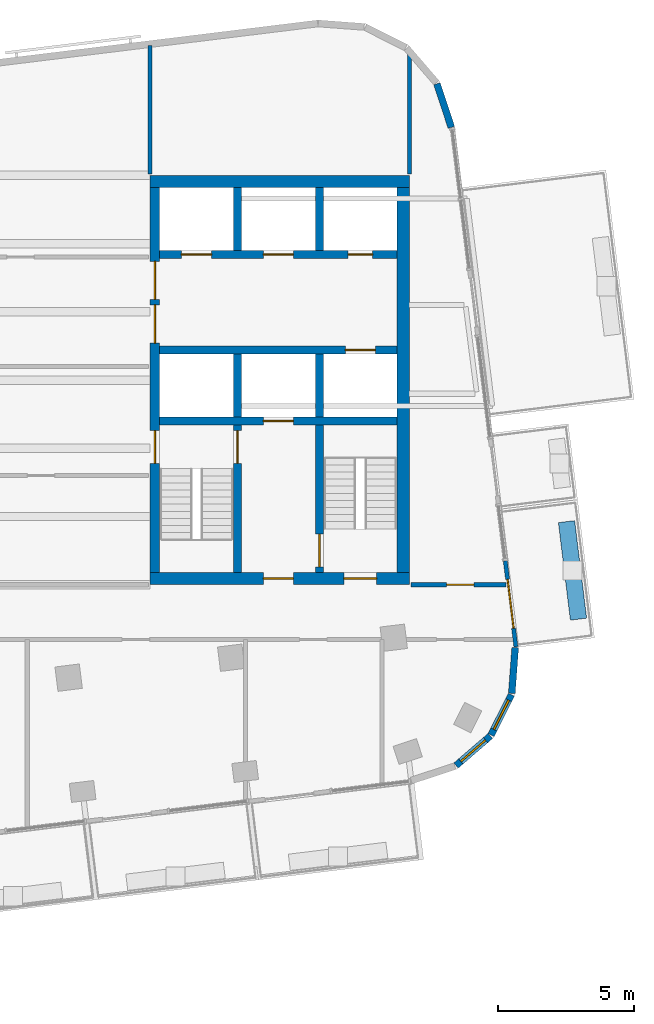
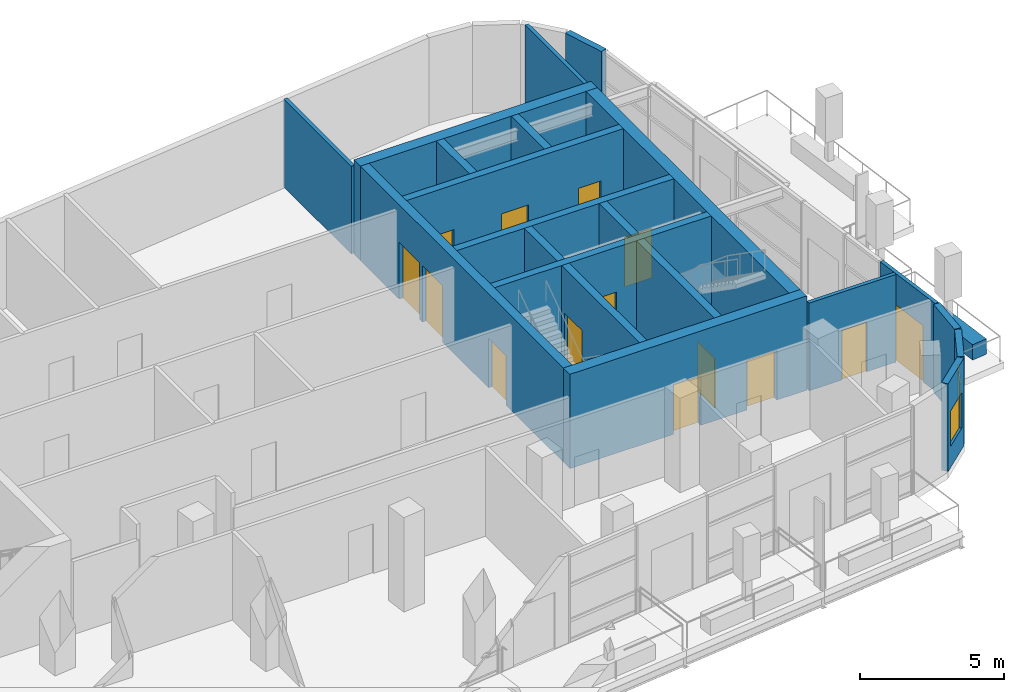
# One storey, part 9 of 14: 22 walls, 14 doors, 2 windows, 16 openings.
"""IFC4 building model written with IfcOpenShell, lengths in metres."""

from ifc_helpers import new_model, si_unit, direction, frame, frame_2d, origin, place, context, subcontext, project, spatial, rectangle, extrude, material, layer, layer_set, type_object, element, fill, save


model = new_model("IFC4")

# Units and contexts
model_context = context("Model", 3, precision=1e-05, world=origin(), true_north=direction((0.0, 1.0)))
body_context = subcontext(model_context, "Body", "Model", "MODEL_VIEW")
ifc_project = project(units=[si_unit("LENGTHUNIT", "METRE"), si_unit("AREAUNIT", "SQUARE_METRE"), si_unit("VOLUMEUNIT", "CUBIC_METRE"), si_unit("PLANEANGLEUNIT", "RADIAN"), si_unit("MASSUNIT", "GRAM", prefix="KILO")], contexts=[model_context])

# Site, building, storey
site_placement = place(None, origin())
site = spatial("IfcSite", under=ifc_project, at=site_placement, CompositionType="ELEMENT")
building_placement = place(site_placement, origin())
building = spatial("IfcBuilding", under=site, at=building_placement, Name="Torana Hotel and Residences", CompositionType="ELEMENT")
storey_placement = place(building_placement, frame((0.0, 0.0, 318.60009765625)))
storey = spatial("IfcBuildingStorey", under=building, at=storey_placement, Name="L84", CompositionType="ELEMENT", Elevation=318.60009765625)

# Wall, openings, doors
ifc_material_1 = material(Name="Concrete C60/75", Category="concrete")
ifc_layer_1 = layer(ifc_material_1, 0.300048828125)
ifc_layer_set_1 = layer_set([ifc_layer_1], Name="CORE WALL 300 C60/75")
wall_type_1 = type_object("IfcWallType", Name="CORE WALL 300 C60/75", PredefinedType="SHEAR", material=ifc_layer_set_1)
wall_1_placement = place(storey_placement, frame((10.35009765625, -2.89990234375, 0.0), z_axis=(0.0, 0.0, 1.0), x_axis=(1.0, 0.0, 0.0)))
wall_1 = element("IfcWall", 1, at=wall_1_placement, inside=storey, type_object=wall_type_1, Name="Core wall E row-N", PredefinedType="SHEAR", context=body_context, shape_type="SweptSolid", body=[
    extrude(rectangle(XDim=8.699951171875, YDim=0.300048828125, at=frame_2d((4.35009765625, 0.0))), origin(), (0.0, 0.0, 1.0), 4.0),
])
opening_1_placement = place(wall_1_placement, frame((0.800048828125, 0.0, 0.0)))
opening_1 = element("IfcOpeningElement", 2, at=opening_1_placement, cuts=wall_1, Name="Opening LD", PredefinedType="OPENING", context=body_context, shape_type="SweptSolid", body=[
    extrude(rectangle(XDim=1.10009765625, YDim=2.10009765625, at=frame_2d((0.550048828125, 1.050048828125))), frame((0.0, 0.159912109375, 0.0), z_axis=(0.0, -1.0, 0.0), x_axis=(1.0, 0.0, 0.0)), (0.0, 0.0, 1.0), 0.320068359375),
])
opening_2_placement = place(wall_1_placement, frame((3.800048828125, 0.0, 0.0)))
opening_2 = element("IfcOpeningElement", 3, at=opening_2_placement, cuts=wall_1, Name="Opening LD", PredefinedType="OPENING", context=body_context, shape_type="SweptSolid", body=[
    extrude(rectangle(XDim=1.10009765625, YDim=2.10009765625, at=frame_2d((0.550048828125, 1.050048828125))), frame((0.0, 0.159912109375, 0.0), z_axis=(0.0, -1.0, 0.0), x_axis=(1.0, 0.0, 0.0)), (0.0, 0.0, 1.0), 0.320068359375),
])
opening_3_placement = place(wall_1_placement, frame((6.89990234375, 0.0, 0.0)))
opening_3 = element("IfcOpeningElement", 4, at=opening_3_placement, cuts=wall_1, Name="Opening L84-14", PredefinedType="OPENING", context=body_context, shape_type="SweptSolid", body=[
    extrude(rectangle(XDim=0.89990234375, YDim=2.10009765625, at=frame_2d((0.449951171875, 1.050048828125))), frame((0.0, 0.159912109375, 0.0), z_axis=(0.0, -1.0, 0.0), x_axis=(1.0, 0.0, 0.0)), (0.0, 0.0, 1.0), 0.320068359375),
])
ifc_material_2 = material(Name="Stainless steel 316", Category="steel")
door_type_1 = type_object("IfcDoorType", Name="LIFT LANDING DOOR LD 1100x2100", OperationType="DOUBLE_DOOR_SLIDING", PredefinedType="USERDEFINED", material=ifc_material_2)
door_1_placement = place(opening_1_placement, origin())
door_1 = element("IfcDoor", 5, at=door_1_placement, inside=storey, type_object=door_type_1, Name="Lift landing door H3 L84", ObjectType="LIFT LANDING DOOR", OperationType="DOUBLE_DOOR_SLIDING", OverallHeight=2.10009765625, OverallWidth=1.10009765625, PredefinedType="USERDEFINED", context=body_context, shape_type="SweptSolid", body=[
    extrude(rectangle(XDim=1.10009765625, YDim=2.10009765625, at=frame_2d((0.550048828125, 1.050048828125))), frame((0.0, 0.02490234375, 0.0), z_axis=(0.0, -1.0, 0.0), x_axis=(1.0, 0.0, 0.0)), (0.0, 0.0, 1.0), 0.050048828125),
])
fill(opening_1, door_1)
door_2_placement = place(opening_2_placement, origin())
door_2 = element("IfcDoor", 6, at=door_2_placement, inside=storey, type_object=door_type_1, Name="Lift landing door H4 L84", ObjectType="LIFT LANDING DOOR", OperationType="DOUBLE_DOOR_SLIDING", OverallHeight=2.10009765625, OverallWidth=1.10009765625, PredefinedType="USERDEFINED", context=body_context, shape_type="SweptSolid", body=[
    extrude(rectangle(XDim=1.10009765625, YDim=2.10009765625, at=frame_2d((0.550048828125, 1.050048828125))), frame((0.0, 0.02490234375, 0.0), z_axis=(0.0, -1.0, 0.0), x_axis=(1.0, 0.0, 0.0)), (0.0, 0.0, 1.0), 0.050048828125),
])
fill(opening_2, door_2)
ifc_material_3 = material(Name="Steel S235", Category="steel")
door_type_2 = type_object("IfcDoorType", Name="RISER ACCESS DOOR D5 900x2100", OperationType="SINGLE_SWING_LEFT", PredefinedType="DOOR", material=ifc_material_3)
door_3_placement = place(opening_3_placement, origin())
door_3 = element("IfcDoor", 7, at=door_3_placement, inside=storey, type_object=door_type_2, Name="N2 door L84", OperationType="SINGLE_SWING_RIGHT", OverallHeight=2.10009765625, OverallWidth=0.89990234375, PredefinedType="DOOR", context=body_context, shape_type="SweptSolid", body=[
    extrude(rectangle(XDim=0.89990234375, YDim=2.10009765625, at=frame_2d((0.449951171875, 1.050048828125))), frame((0.0, 0.02490234375, 0.0), z_axis=(0.0, -1.0, 0.0), x_axis=(1.0, 0.0, 0.0)), (0.0, 0.0, 1.0), 0.050048828125),
])
fill(opening_3, door_3)

# Wall, opening, door
wall_2_placement = place(storey_placement, frame((10.35009765625, -6.39990234375, 0.0), z_axis=(0.0, 0.0, 1.0), x_axis=(1.0, 0.0, 0.0)))
wall_2 = element("IfcWall", 8, at=wall_2_placement, inside=storey, type_object=wall_type_1, Name="Core wall E row-S", PredefinedType="SHEAR", context=body_context, shape_type="SweptSolid", body=[
    extrude(rectangle(XDim=8.699951171875, YDim=0.300048828125, at=frame_2d((4.35009765625, 0.0))), origin(), (0.0, 0.0, 1.0), 4.0),
])
opening_4_placement = place(wall_2_placement, frame((6.800048828125, 0.0, 0.0)))
opening_4 = element("IfcOpeningElement", 9, at=opening_4_placement, cuts=wall_2, Name="Opening LD", PredefinedType="OPENING", context=body_context, shape_type="SweptSolid", body=[
    extrude(rectangle(XDim=1.10009765625, YDim=2.10009765625, at=frame_2d((0.550048828125, 1.050048828125))), frame((0.0, 0.159912109375, 0.0), z_axis=(0.0, -1.0, 0.0), x_axis=(1.0, 0.0, 0.0)), (0.0, 0.0, 1.0), 0.320068359375),
])
door_4_placement = place(opening_4_placement, origin())
door_4 = element("IfcDoor", 10, at=door_4_placement, inside=storey, type_object=door_type_1, Name="Lift landing door SV2 L84", ObjectType="LIFT LANDING DOOR", OperationType="DOUBLE_DOOR_SLIDING", OverallHeight=2.10009765625, OverallWidth=1.10009765625, PredefinedType="USERDEFINED", context=body_context, shape_type="SweptSolid", body=[
    extrude(rectangle(XDim=1.10009765625, YDim=2.10009765625, at=frame_2d((0.550048828125, 1.050048828125))), frame((0.0, 0.02490234375, 0.0), z_axis=(0.0, -1.0, 0.0), x_axis=(1.0, 0.0, 0.0)), (0.0, 0.0, 1.0), 0.050048828125),
])
fill(opening_4, door_4)

wall_3_placement = place(storey_placement, frame((10.35009765625, -9.0, 0.0), z_axis=(0.0, 0.0, 1.0), x_axis=(1.0, 0.0, 0.0)))
wall_3 = element("IfcWall", 11, at=wall_3_placement, inside=storey, type_object=wall_type_1, Name="Core wall E band", PredefinedType="SHEAR", context=body_context, shape_type="SweptSolid", body=[
    extrude(rectangle(XDim=8.699951171875, YDim=0.300048828125, at=frame_2d((4.35009765625, 0.0))), origin(), (0.0, 0.0, 1.0), 4.0),
])
opening_5_placement = place(wall_3_placement, frame((3.800048828125, 0.0, 0.0)))
opening_5 = element("IfcOpeningElement", 12, at=opening_5_placement, cuts=wall_3, Name="Opening LD", PredefinedType="OPENING", context=body_context, shape_type="SweptSolid", body=[
    extrude(rectangle(XDim=1.10009765625, YDim=2.10009765625, at=frame_2d((0.550048828125, 1.050048828125))), frame((0.0, 0.159912109375, 0.0), z_axis=(0.0, -1.0, 0.0), x_axis=(1.0, 0.0, 0.0)), (0.0, 0.0, 1.0), 0.320068359375),
])
door_5_placement = place(opening_5_placement, origin())
door_5 = element("IfcDoor", 13, at=door_5_placement, inside=storey, type_object=door_type_1, Name="Lift landing door FF2 L84", ObjectType="LIFT LANDING DOOR", OperationType="DOUBLE_DOOR_SLIDING", OverallHeight=2.10009765625, OverallWidth=1.10009765625, PredefinedType="USERDEFINED", context=body_context, shape_type="SweptSolid", body=[
    extrude(rectangle(XDim=1.10009765625, YDim=2.10009765625, at=frame_2d((0.550048828125, 1.050048828125))), frame((0.0, 0.02490234375, 0.0), z_axis=(0.0, -1.0, 0.0), x_axis=(1.0, 0.0, 0.0)), (0.0, 0.0, 1.0), 0.050048828125),
])
fill(opening_5, door_5)

# Walls
for number, where, z_axis, x_axis, name in (
    (14, (13.199951171875, -2.75, 0.0), (0.0, 0.0, 1.0), (0.0, 1.0, 0.0), "Core wall E x3.05-N"),
    (15, (13.199951171875, -8.85009765625, 0.0), (0.0, 0.0, 1.0), (0.0, 1.0, 0.0), "Core wall E x3.05-S"),
):
    element("IfcWall", number, at=place(storey_placement, frame(where, z_axis=z_axis, x_axis=x_axis)), inside=storey, type_object=wall_type_1, Name=name, PredefinedType="SHEAR", context=body_context, shape_type="SweptSolid", body=[
        extrude(rectangle(XDim=2.300048828125, YDim=0.300048828125, at=frame_2d((1.14990234375, 0.0))), origin(), (0.0, 0.0, 1.0), 4.0),
    ])

# Wall, opening, door
wall_4_placement = place(storey_placement, frame((13.199951171875, -14.550048828125, 0.0), z_axis=(0.0, 0.0, 1.0), x_axis=(0.0, 1.0, 0.0)))
wall_4 = element("IfcWall", 16, at=wall_4_placement, inside=storey, type_object=wall_type_1, Name="Core wall E x3.05-band", PredefinedType="SHEAR", context=body_context, shape_type="SweptSolid", body=[
    extrude(rectangle(XDim=5.400146484375, YDim=0.300048828125, at=frame_2d((2.7001953125, 0.0))), origin(), (0.0, 0.0, 1.0), 4.0),
])
opening_6_placement = place(wall_4_placement, frame((4.0, 0.0, 0.0)))
opening_6 = element("IfcOpeningElement", 17, at=opening_6_placement, cuts=wall_4, Name="Opening L84-15", PredefinedType="OPENING", context=body_context, shape_type="SweptSolid", body=[
    extrude(rectangle(XDim=1.199951171875, YDim=2.10009765625, at=frame_2d((0.60009765625, 1.050048828125))), frame((0.0, 0.159912109375, 0.0), z_axis=(0.0, -1.0, 0.0), x_axis=(1.0, 0.0, 0.0)), (0.0, 0.0, 1.0), 0.320068359375),
])
ifc_material_4 = material(Name="Steel S235", Category="steel")
door_type_3 = type_object("IfcDoorType", Name="STAIR FIRE DOOR D3 1200x2100", OperationType="SINGLE_SWING_LEFT", PredefinedType="DOOR", material=ifc_material_4)
door_6_placement = place(opening_6_placement, origin())
door_6 = element("IfcDoor", 18, at=door_6_placement, inside=storey, type_object=door_type_3, Name="Stair-A-lobby door L84", OperationType="SINGLE_SWING_LEFT", OverallHeight=2.10009765625, OverallWidth=1.199951171875, PredefinedType="DOOR", context=body_context, shape_type="SweptSolid", body=[
    extrude(rectangle(XDim=1.199951171875, YDim=2.10009765625, at=frame_2d((0.60009765625, 1.050048828125))), frame((0.0, 0.02490234375, 0.0), z_axis=(0.0, -1.0, 0.0), x_axis=(1.0, 0.0, 0.0)), (0.0, 0.0, 1.0), 0.050048828125),
])
fill(opening_6, door_6)

# Walls
for number, where, z_axis, x_axis, name in (
    (19, (16.199951171875, -2.75, 0.0), (0.0, 0.0, 1.0), (0.0, 1.0, 0.0), "Core wall E x6.05-N"),
    (20, (16.199951171875, -8.85009765625, 0.0), (0.0, 0.0, 1.0), (0.0, 1.0, 0.0), "Core wall E x6.05-S"),
):
    element("IfcWall", number, at=place(storey_placement, frame(where, z_axis=z_axis, x_axis=x_axis)), inside=storey, type_object=wall_type_1, Name=name, PredefinedType="SHEAR", context=body_context, shape_type="SweptSolid", body=[
        extrude(rectangle(XDim=2.300048828125, YDim=0.300048828125, at=frame_2d((1.14990234375, 0.0))), origin(), (0.0, 0.0, 1.0), 4.0),
    ])

# Wall, opening, door
wall_5_placement = place(storey_placement, frame((16.199951171875, -14.550048828125, 0.0), z_axis=(0.0, 0.0, 1.0), x_axis=(0.0, 1.0, 0.0)))
wall_5 = element("IfcWall", 21, at=wall_5_placement, inside=storey, type_object=wall_type_1, Name="Core wall E x6.05-band", PredefinedType="SHEAR", context=body_context, shape_type="SweptSolid", body=[
    extrude(rectangle(XDim=5.400146484375, YDim=0.300048828125, at=frame_2d((2.7001953125, 0.0))), origin(), (0.0, 0.0, 1.0), 4.0),
])
opening_7_placement = place(wall_5_placement, frame((0.199951171875, 0.0, 0.0)))
opening_7 = element("IfcOpeningElement", 22, at=opening_7_placement, cuts=wall_5, Name="Opening L84-16", PredefinedType="OPENING", context=body_context, shape_type="SweptSolid", body=[
    extrude(rectangle(XDim=1.199951171875, YDim=2.10009765625, at=frame_2d((0.60009765625, 1.050048828125))), frame((0.0, 0.159912109375, 0.0), z_axis=(0.0, -1.0, 0.0), x_axis=(1.0, 0.0, 0.0)), (0.0, 0.0, 1.0), 0.320068359375),
])
door_7_placement = place(opening_7_placement, frame((0.60009765625, 0.0, 0.0), z_axis=(0.0, 0.0, 1.0), x_axis=(-1.0, 0.0, 0.0)))
door_7 = element("IfcDoor", 23, at=door_7_placement, inside=storey, type_object=door_type_3, Name="Stair-B-lobby door L84", OperationType="SINGLE_SWING_LEFT", OverallHeight=2.10009765625, OverallWidth=1.199951171875, PredefinedType="DOOR", context=body_context, shape_type="SweptSolid", body=[
    extrude(rectangle(XDim=1.199951171875, YDim=2.10009765625, at=frame_2d((0.0, 1.050048828125))), frame((0.0, -0.02490234375, 0.0), z_axis=(0.0, 1.0, 0.0), x_axis=(-1.0, 0.0, 0.0)), (0.0, 0.0, 1.0), 0.050048828125),
])
fill(opening_7, door_7)

# Wall, openings, doors
ifc_material_5 = material(Name="Concrete C60/75", Category="concrete")
ifc_layer_2 = layer(ifc_material_5, 0.35009765625)
ifc_layer_set_2 = layer_set([ifc_layer_2], Name="CORE WALL 350 C60/75")
wall_type_2 = type_object("IfcWallType", Name="CORE WALL 350 C60/75", PredefinedType="SHEAR", material=ifc_layer_set_2)
wall_6_placement = place(storey_placement, frame((10.175048828125, -14.550048828125, 0.0), z_axis=(0.0, 0.0, 1.0), x_axis=(0.0, 1.0, 0.0)))
wall_6 = element("IfcWall", 24, at=wall_6_placement, inside=storey, type_object=wall_type_2, Name="Core wall E arch", PredefinedType="SHEAR", context=body_context, shape_type="SweptSolid", body=[
    extrude(rectangle(XDim=14.10009765625, YDim=0.35009765625, at=frame_2d((7.050048828125, 0.0))), origin(), (0.0, 0.0, 1.0), 4.0),
])
opening_8_placement = place(wall_6_placement, frame((8.39990234375, 0.0, 0.0)))
opening_8 = element("IfcOpeningElement", 25, at=opening_8_placement, cuts=wall_6, Name="Opening L84-09", PredefinedType="OPENING", context=body_context, shape_type="SweptSolid", body=[
    extrude(rectangle(XDim=1.39990234375, YDim=2.39990234375, at=frame_2d((0.699951171875, 1.199951171875))), frame((0.0, 0.18505859375, 0.0), z_axis=(0.0, -1.0, 0.0), x_axis=(1.0, 0.0, 0.0)), (0.0, 0.0, 1.0), 0.3701171875),
])
opening_9_placement = place(wall_6_placement, frame((10.0, 0.0, 0.0)))
opening_9 = element("IfcOpeningElement", 26, at=opening_9_placement, cuts=wall_6, Name="Opening L84-10", PredefinedType="OPENING", context=body_context, shape_type="SweptSolid", body=[
    extrude(rectangle(XDim=1.39990234375, YDim=2.39990234375, at=frame_2d((0.699951171875, 1.199951171875))), frame((0.0, 0.18505859375, 0.0), z_axis=(0.0, -1.0, 0.0), x_axis=(1.0, 0.0, 0.0)), (0.0, 0.0, 1.0), 0.3701171875),
])
opening_10_placement = place(wall_6_placement, frame((4.0, 0.0, 0.0)))
opening_10 = element("IfcOpeningElement", 27, at=opening_10_placement, cuts=wall_6, Name="Opening L84-11", PredefinedType="OPENING", context=body_context, shape_type="SweptSolid", body=[
    extrude(rectangle(XDim=1.199951171875, YDim=2.10009765625, at=frame_2d((0.60009765625, 1.050048828125))), frame((0.0, 0.18505859375, 0.0), z_axis=(0.0, -1.0, 0.0), x_axis=(1.0, 0.0, 0.0)), (0.0, 0.0, 1.0), 0.3701171875),
])
ifc_material_6 = material(Name="Steel S235", Category="steel")
door_type_4 = type_object("IfcDoorType", Name="LOBBY FIRE DOOR D4 1400x2400", OperationType="DOUBLE_DOOR_SINGLE_SWING", PredefinedType="DOOR", material=ifc_material_6)
door_8_placement = place(opening_8_placement, origin())
door_8 = element("IfcDoor", 28, at=door_8_placement, inside=storey, type_object=door_type_4, Name="Lobby-1 door L84", OperationType="DOUBLE_DOOR_SINGLE_SWING", OverallHeight=2.39990234375, OverallWidth=1.39990234375, PredefinedType="DOOR", context=body_context, shape_type="SweptSolid", body=[
    extrude(rectangle(XDim=1.39990234375, YDim=2.39990234375, at=frame_2d((0.699951171875, 1.199951171875))), frame((0.0, 0.02490234375, 0.0), z_axis=(0.0, -1.0, 0.0), x_axis=(1.0, 0.0, 0.0)), (0.0, 0.0, 1.0), 0.050048828125),
])
fill(opening_8, door_8)
door_9_placement = place(opening_9_placement, origin())
door_9 = element("IfcDoor", 29, at=door_9_placement, inside=storey, type_object=door_type_4, Name="Lobby-2 door L84", OperationType="DOUBLE_DOOR_SINGLE_SWING", OverallHeight=2.39990234375, OverallWidth=1.39990234375, PredefinedType="DOOR", context=body_context, shape_type="SweptSolid", body=[
    extrude(rectangle(XDim=1.39990234375, YDim=2.39990234375, at=frame_2d((0.699951171875, 1.199951171875))), frame((0.0, 0.02490234375, 0.0), z_axis=(0.0, -1.0, 0.0), x_axis=(1.0, 0.0, 0.0)), (0.0, 0.0, 1.0), 0.050048828125),
])
fill(opening_9, door_9)
door_10_placement = place(opening_10_placement, frame((0.60009765625, 0.0, 0.0), z_axis=(0.0, 0.0, 1.0), x_axis=(-1.0, 0.0, 0.0)))
door_10 = element("IfcDoor", 30, at=door_10_placement, inside=storey, type_object=door_type_3, Name="Stair-A door L84", OperationType="SINGLE_SWING_RIGHT", OverallHeight=2.10009765625, OverallWidth=1.199951171875, PredefinedType="DOOR", context=body_context, shape_type="SweptSolid", body=[
    extrude(rectangle(XDim=1.199951171875, YDim=2.10009765625, at=frame_2d((0.0, 1.050048828125))), frame((0.0, -0.02490234375, 0.0), z_axis=(0.0, 1.0, 0.0), x_axis=(-1.0, 0.0, 0.0)), (0.0, 0.0, 1.0), 0.050048828125),
])
fill(opening_10, door_10)

# Wall
ifc_material_7 = material(Name="Concrete C60/75", Category="concrete")
ifc_layer_3 = layer(ifc_material_7, 0.449951171875)
ifc_layer_set_3 = layer_set([ifc_layer_3], Name="CORE WALL 450 C60/75")
wall_type_3 = type_object("IfcWallType", Name="CORE WALL 450 C60/75", PredefinedType="SHEAR", material=ifc_layer_set_3)
wall_7_placement = place(storey_placement, frame((10.0, -0.22509765625, 0.0), z_axis=(0.0, 0.0, 1.0), x_axis=(1.0, 0.0, 0.0)))
element("IfcWall", 31, at=wall_7_placement, inside=storey, type_object=wall_type_3, Name="Core wall E rear", PredefinedType="SHEAR", context=body_context, shape_type="SweptSolid", body=[
    extrude(rectangle(XDim=9.5, YDim=0.449951171875, at=frame_2d((4.75, 0.0))), origin(), (0.0, 0.0, 1.0), 4.0),
])

# Wall, openings, doors
wall_8_placement = place(storey_placement, frame((10.0, -14.77490234375, 0.0), z_axis=(0.0, 0.0, 1.0), x_axis=(1.0, 0.0, 0.0)))
wall_8 = element("IfcWall", 32, at=wall_8_placement, inside=storey, type_object=wall_type_3, Name="Core wall E front", PredefinedType="SHEAR", context=body_context, shape_type="SweptSolid", body=[
    extrude(rectangle(XDim=9.5, YDim=0.449951171875, at=frame_2d((4.75, 0.0))), origin(), (0.0, 0.0, 1.0), 4.0),
])
opening_11_placement = place(wall_8_placement, frame((7.10009765625, 0.0, 0.0)))
opening_11 = element("IfcOpeningElement", 33, at=opening_11_placement, cuts=wall_8, Name="Opening L84-12", PredefinedType="OPENING", context=body_context, shape_type="SweptSolid", body=[
    extrude(rectangle(XDim=1.199951171875, YDim=2.10009765625, at=frame_2d((0.60009765625, 1.050048828125))), frame((0.0, 0.23486328125, 0.0), z_axis=(0.0, -1.0, 0.0), x_axis=(1.0, 0.0, 0.0)), (0.0, 0.0, 1.0), 0.469970703125),
])
opening_12_placement = place(wall_8_placement, frame((4.14990234375, 0.0, 0.0)))
opening_12 = element("IfcOpeningElement", 34, at=opening_12_placement, cuts=wall_8, Name="Opening L84-13", PredefinedType="OPENING", context=body_context, shape_type="SweptSolid", body=[
    extrude(rectangle(XDim=1.10009765625, YDim=2.10009765625, at=frame_2d((0.550048828125, 1.050048828125))), frame((0.0, 0.23486328125, 0.0), z_axis=(0.0, -1.0, 0.0), x_axis=(1.0, 0.0, 0.0)), (0.0, 0.0, 1.0), 0.469970703125),
])
ifc_material_8 = material(Name="Steel S235", Category="steel")
door_type_5 = type_object("IfcDoorType", Name="FIRE-FIGHTING LOBBY DOOR D8 1100x2100", OperationType="SINGLE_SWING_LEFT", PredefinedType="DOOR", material=ifc_material_8)
door_11_placement = place(opening_12_placement, origin())
door_11 = element("IfcDoor", 35, at=door_11_placement, inside=storey, type_object=door_type_5, Name="FF-lobby door L84", OperationType="SINGLE_SWING_RIGHT", OverallHeight=2.10009765625, OverallWidth=1.10009765625, PredefinedType="DOOR", context=body_context, shape_type="SweptSolid", body=[
    extrude(rectangle(XDim=1.10009765625, YDim=2.10009765625, at=frame_2d((0.550048828125, 1.050048828125))), frame((0.0, 0.02490234375, 0.0), z_axis=(0.0, -1.0, 0.0), x_axis=(1.0, 0.0, 0.0)), (0.0, 0.0, 1.0), 0.050048828125),
])
fill(opening_12, door_11)
door_12_placement = place(opening_11_placement, origin())
door_12 = element("IfcDoor", 36, at=door_12_placement, inside=storey, type_object=door_type_3, Name="Stair-B door L84", OperationType="SINGLE_SWING_RIGHT", OverallHeight=2.10009765625, OverallWidth=1.199951171875, PredefinedType="DOOR", context=body_context, shape_type="SweptSolid", body=[
    extrude(rectangle(XDim=1.199951171875, YDim=2.10009765625, at=frame_2d((0.60009765625, 1.050048828125))), frame((0.0, 0.02490234375, 0.0), z_axis=(0.0, -1.0, 0.0), x_axis=(1.0, 0.0, 0.0)), (0.0, 0.0, 1.0), 0.050048828125),
])
fill(opening_11, door_12)

# Walls
wall_9_placement = place(storey_placement, frame((19.27490234375, -14.550048828125, 0.0), z_axis=(0.0, 0.0, 1.0), x_axis=(0.0, 1.0, 0.0)))
element("IfcWall", 37, at=wall_9_placement, inside=storey, type_object=wall_type_3, Name="Core wall E outer", PredefinedType="SHEAR", context=body_context, shape_type="SweptSolid", body=[
    extrude(rectangle(XDim=14.10009765625, YDim=0.449951171875, at=frame_2d((7.050048828125, 0.0))), origin(), (0.0, 0.0, 1.0), 4.0),
])
ifc_material_9 = material(Name="Black aluminium composite panel", Category="aluminium")
ifc_layer_4 = layer(ifc_material_9, 0.00390625, Name="Cladding", Category="cladding")
ifc_material_10 = material(Name="Ventilated air cavity")
ifc_layer_5 = layer(ifc_material_10, 0.0400390625, Name="Ventilated cavity", Category="cavity")
ifc_material_11 = material(Name="Mineral wool insulation")
ifc_layer_6 = layer(ifc_material_11, 0.090087890625, Name="Insulation", Category="insulation")
ifc_material_12 = material(Name="Steel S280GD", Category="steel")
ifc_layer_7 = layer(ifc_material_12, 0.092041015625, Name="Steel stud frame", Category="structure")
ifc_material_13 = material(Name="Fire rated plasterboard")
ifc_layer_8 = layer(ifc_material_13, 0.011962890625, Name="Inner board", Category="finish")
ifc_layer_9 = layer(ifc_material_13, 0.011962890625, Name="Second board", Category="finish")
ifc_layer_set_4 = layer_set([ifc_layer_4, ifc_layer_5, ifc_layer_6, ifc_layer_7, ifc_layer_8, ifc_layer_9], Name="EW1 EXTERNAL WALL BLACK METAL CLAD 250")
wall_type_4 = type_object("IfcWallType", Name="EW1 EXTERNAL WALL BLACK METAL CLAD 250", PredefinedType="SOLIDWALL", material=ifc_layer_set_4)
wall_10_placement = place(storey_placement, frame((21.035888671875, 1.754638671875, 0.0), z_axis=(0.0, 0.0, 1.0), x_axis=(-0.313046160822, 0.949737911844, 0.0)))
element("IfcWall", 38, at=wall_10_placement, inside=storey, type_object=wall_type_4, Name="External wall L84 e0.0", PredefinedType="SOLIDWALL", context=body_context, shape_type="SweptSolid", body=[
    extrude(rectangle(XDim=1.681396484375, YDim=0.25, at=frame_2d((0.8408203125, 0.0))), origin(), (0.0, 0.0, 1.0), 3.719970703125),
])

# Wall, opening, window
wall_11_placement = place(storey_placement, frame((21.207763671875, -21.624267578125, 0.0), z_axis=(0.0, 0.0, 1.0), x_axis=(0.757568315466, 0.652755886531, 0.0)))
wall_11 = element("IfcWall", 39, at=wall_11_placement, inside=storey, type_object=wall_type_4, Name="External wall L84 e0.16", PredefinedType="SOLIDWALL", context=body_context, shape_type="SweptSolid", body=[
    extrude(rectangle(XDim=1.65625, YDim=0.25, at=frame_2d((0.828125, 0.0))), origin(), (0.0, 0.0, 1.0), 3.719970703125),
])
opening_13_placement = place(wall_11_placement, frame((0.228271484375, 0.0, 0.89990234375)))
opening_13 = element("IfcOpeningElement", 40, at=opening_13_placement, cuts=wall_11, Name="Opening W5", PredefinedType="OPENING", context=body_context, shape_type="SweptSolid", body=[
    extrude(rectangle(XDim=1.199951171875, YDim=1.5, at=frame_2d((0.60009765625, 0.75))), frame((0.0, 0.135009765625, 0.0), z_axis=(0.0, -1.0, 0.0), x_axis=(1.0, 0.0, 0.0)), (0.0, 0.0, 1.0), 0.27001953125),
])
ifc_material_14 = material(Name="Dark glass in black aluminium frame", Category="aluminium")
window_type = type_object("IfcWindowType", Name="W5 CORNER FACET WINDOW 1200x1500", PartitioningType="SINGLE_PANEL", PredefinedType="WINDOW", material=ifc_material_14)
window_1_placement = place(opening_13_placement, origin())
window_1 = element("IfcWindow", 41, at=window_1_placement, inside=storey, type_object=window_type, Name="Window L84 e0.16", OverallHeight=1.5, OverallWidth=1.199951171875, PartitioningType="SINGLE_PANEL", PredefinedType="WINDOW", context=body_context, shape_type="SweptSolid", body=[
    extrude(rectangle(XDim=1.199951171875, YDim=1.5, at=frame_2d((0.60009765625, 0.75))), frame((0.0, 0.030029296875, 0.0), z_axis=(0.0, -1.0, 0.0), x_axis=(1.0, 0.0, 0.0)), (0.0, 0.0, 1.0), 0.06005859375),
])
fill(opening_13, window_1)

wall_12_placement = place(storey_placement, frame((22.49267578125, -20.504638671875, 0.0), z_axis=(0.0, 0.0, 1.0), x_axis=(0.449982385812, 0.893037430604, 0.0)))
wall_12 = element("IfcWall", 42, at=wall_12_placement, inside=storey, type_object=wall_type_4, Name="External wall L84 e0.17", PredefinedType="SOLIDWALL", context=body_context, shape_type="SweptSolid", body=[
    extrude(rectangle(XDim=1.656494140625, YDim=0.25, at=frame_2d((0.828125, 0.0))), origin(), (0.0, 0.0, 1.0), 3.719970703125),
])
opening_14_placement = place(wall_12_placement, frame((0.228271484375, 0.0, 0.89990234375)))
opening_14 = element("IfcOpeningElement", 43, at=opening_14_placement, cuts=wall_12, Name="Opening W5", PredefinedType="OPENING", context=body_context, shape_type="SweptSolid", body=[
    extrude(rectangle(XDim=1.199951171875, YDim=1.5, at=frame_2d((0.60009765625, 0.75))), frame((0.0, 0.135009765625, 0.0), z_axis=(0.0, -1.0, 0.0), x_axis=(1.0, 0.0, 0.0)), (0.0, 0.0, 1.0), 0.27001953125),
])
window_2_placement = place(opening_14_placement, origin())
window_2 = element("IfcWindow", 44, at=window_2_placement, inside=storey, type_object=window_type, Name="Window L84 e0.17", OverallHeight=1.5, OverallWidth=1.199951171875, PartitioningType="SINGLE_PANEL", PredefinedType="WINDOW", context=body_context, shape_type="SweptSolid", body=[
    extrude(rectangle(XDim=1.199951171875, YDim=1.5, at=frame_2d((0.60009765625, 0.75))), frame((0.0, 0.030029296875, 0.0), z_axis=(0.0, -1.0, 0.0), x_axis=(1.0, 0.0, 0.0)), (0.0, 0.0, 1.0), 0.06005859375),
])
fill(opening_14, window_2)

# Wall
wall_13_placement = place(storey_placement, frame((23.251220703125, -18.978515625, 0.0), z_axis=(0.0, 0.0, 1.0), x_axis=(0.074053534713, 0.997254267475, 0.0)))
element("IfcWall", 45, at=wall_13_placement, inside=storey, type_object=wall_type_4, Name="External wall L84 e0.18", PredefinedType="SOLIDWALL", context=body_context, shape_type="SweptSolid", body=[
    extrude(rectangle(XDim=1.681396484375, YDim=0.25, at=frame_2d((0.8408203125, 0.0))), origin(), (0.0, 0.0, 1.0), 3.719970703125),
])

# Wall, opening, door
ifc_material_15 = material(Name="Gypsum plaster")
ifc_layer_10 = layer(ifc_material_15, 0.014892578125, Name="Plaster", Category="finish")
ifc_material_16 = material(Name="Concrete blockwork", Category="masonry")
ifc_layer_11 = layer(ifc_material_16, 0.1201171875, Name="Blockwork", Category="structure")
ifc_layer_12 = layer(ifc_material_15, 0.014892578125, Name="Plaster", Category="finish")
ifc_layer_set_5 = layer_set([ifc_layer_10, ifc_layer_11, ifc_layer_12], Name="FIRE PARTITION 150 BLOCKWORK")
wall_type_5 = type_object("IfcWallType", Name="FIRE PARTITION 150 BLOCKWORK", PredefinedType="PARTITIONING", material=ifc_layer_set_5)
wall_14_placement = place(storey_placement, frame((19.550048828125, -15.0, 0.0), z_axis=(0.0, 0.0, 1.0), x_axis=(1.0, 0.0, 0.0)))
wall_14 = element("IfcWall", 46, at=wall_14_placement, inside=storey, type_object=wall_type_5, Name="Partition L84", PredefinedType="PARTITIONING", context=body_context, shape_type="SweptSolid", body=[
    extrude(rectangle(XDim=3.489990234375, YDim=0.14990234375, at=frame_2d((1.7451171875, 0.0))), origin(), (0.0, 0.0, 1.0), 3.719970703125),
])
opening_15_placement = place(wall_14_placement, frame((1.31103515625, 0.0, 0.0)))
opening_15 = element("IfcOpeningElement", 47, at=opening_15_placement, cuts=wall_14, Name="Opening L84-24", PredefinedType="OPENING", context=body_context, shape_type="SweptSolid", body=[
    extrude(rectangle(XDim=1.0, YDim=2.10009765625, at=frame_2d((0.5, 1.050048828125))), frame((0.0, 0.0849609375, 0.0), z_axis=(0.0, -1.0, 0.0), x_axis=(1.0, 0.0, 0.0)), (0.0, 0.0, 1.0), 0.169921875),
])
ifc_material_17 = material(Name="Steel S235", Category="steel")
door_type_6 = type_object("IfcDoorType", Name="CORE ROOM FIRE DOOR D14 1000x2100", OperationType="SINGLE_SWING_LEFT", PredefinedType="DOOR", material=ifc_material_17)
door_13_placement = place(opening_15_placement, origin())
door_13 = element("IfcDoor", 48, at=door_13_placement, inside=storey, type_object=door_type_6, Name="Door L84", OperationType="SINGLE_SWING_LEFT", OverallHeight=2.10009765625, OverallWidth=1.0, PredefinedType="DOOR", context=body_context, shape_type="SweptSolid", body=[
    extrude(rectangle(XDim=1.0, YDim=2.10009765625, at=frame_2d((0.5, 1.050048828125))), frame((0.0, 0.02490234375, 0.0), z_axis=(0.0, -1.0, 0.0), x_axis=(1.0, 0.0, 0.0)), (0.0, 0.0, 1.0), 0.050048828125),
])
fill(opening_15, door_13)

ifc_material_18 = material(Name="Dark glass screen in aluminium frame", Category="aluminium")
ifc_layer_13 = layer(ifc_material_18, 0.14990234375)
ifc_layer_set_6 = layer_set([ifc_layer_13], Name="GS1 GLAZED DOOR SCREEN 150")
wall_type_6 = type_object("IfcWallType", Name="GS1 GLAZED DOOR SCREEN 150", PredefinedType="USERDEFINED", material=ifc_layer_set_6)
wall_15_placement = place(storey_placement, frame((23.39990234375, -17.274169921875, 0.0), z_axis=(0.0, 0.0, 1.0), x_axis=(-0.121858082248, 0.992547534273, 0.0)))
wall_15 = element("IfcWall", 49, at=wall_15_placement, inside=storey, type_object=wall_type_6, Name="Glazed door screen L84", ObjectType="GLAZED SCREEN", PredefinedType="USERDEFINED", context=body_context, shape_type="SweptSolid", body=[
    extrude(rectangle(XDim=3.175537109375, YDim=0.14990234375, at=frame_2d((1.587890625, 0.0))), origin(), (0.0, 0.0, 1.0), 3.719970703125),
])
opening_16_placement = place(wall_15_placement, frame((0.687744140625, 0.0, 0.0)))
opening_16 = element("IfcOpeningElement", 50, at=opening_16_placement, cuts=wall_15, Name="Opening L84-E10", PredefinedType="OPENING", context=body_context, shape_type="SweptSolid", body=[
    extrude(rectangle(XDim=1.800048828125, YDim=2.39990234375, at=frame_2d((0.89990234375, 1.199951171875))), frame((0.0, 0.0849609375, 0.0), z_axis=(0.0, -1.0, 0.0), x_axis=(1.0, 0.0, 0.0)), (0.0, 0.0, 1.0), 0.169921875),
])
ifc_material_19 = material(Name="Dark glass in black aluminium frame", Category="aluminium")
door_type_7 = type_object("IfcDoorType", Name="DB1 BALCONY DOOR 1800x2400", OperationType="DOUBLE_DOOR_SINGLE_SWING", PredefinedType="DOOR", material=ifc_material_19)
door_14_placement = place(opening_16_placement, origin())
door_14 = element("IfcDoor", 51, at=door_14_placement, inside=storey, type_object=door_type_7, Name="Balcony door L84", OperationType="DOUBLE_DOOR_SINGLE_SWING", OverallHeight=2.39990234375, OverallWidth=1.800048828125, PredefinedType="DOOR", context=body_context, shape_type="SweptSolid", body=[
    extrude(rectangle(XDim=1.800048828125, YDim=2.39990234375, at=frame_2d((0.89990234375, 1.199951171875))), frame((0.0, 0.02490234375, 0.0), z_axis=(0.0, -1.0, 0.0), x_axis=(1.0, 0.0, 0.0)), (0.0, 0.0, 1.0), 0.050048828125),
])
fill(opening_16, door_14)

# Walls
ifc_material_20 = material(Name="Gypsum plasterboard")
ifc_layer_14 = layer(ifc_material_20, 0.012451171875, Name="Plasterboard", Category="finish")
ifc_layer_15 = layer(ifc_material_20, 0.012451171875, Name="Plasterboard", Category="finish")
ifc_layer_16 = layer(ifc_material_12, 0.10009765625, Name="Steel studs with mineral wool", Category="insulation")
ifc_layer_17 = layer(ifc_material_20, 0.012451171875, Name="Plasterboard", Category="finish")
ifc_layer_18 = layer(ifc_material_20, 0.012451171875, Name="Plasterboard", Category="finish")
ifc_layer_set_7 = layer_set([ifc_layer_14, ifc_layer_15, ifc_layer_16, ifc_layer_17, ifc_layer_18], Name="PARTITION 150 PLASTERBOARD")
wall_type_7 = type_object("IfcWallType", Name="PARTITION 150 PLASTERBOARD", PredefinedType="PARTITIONING", material=ifc_layer_set_7)
wall_16_placement = place(storey_placement, frame((19.5, 0.050048828125, 0.0), z_axis=(0.0, 0.0, 1.0), x_axis=(0.0, 1.0, 0.0)))
element("IfcWall", 52, at=wall_16_placement, inside=storey, type_object=wall_type_7, Name="Partition L84", PredefinedType="PARTITIONING", context=body_context, shape_type="SweptSolid", body=[
    extrude(rectangle(XDim=4.4033203125, YDim=0.14990234375, at=frame_2d((2.20166015625, 0.0))), origin(), (0.0, 0.0, 1.0), 3.719970703125),
])
wall_17_placement = place(storey_placement, frame((10.0, 0.050048828125, 0.0), z_axis=(0.0, 0.0, 1.0), x_axis=(0.0, 1.0, 0.0)))
element("IfcWall", 53, at=wall_17_placement, inside=storey, type_object=wall_type_7, Name="Partition L84", PredefinedType="PARTITIONING", context=body_context, shape_type="SweptSolid", body=[
    extrude(rectangle(XDim=4.7021484375, YDim=0.14990234375, at=frame_2d((2.35107421875, 0.0))), origin(), (0.0, 0.0, 1.0), 3.719970703125),
])
ifc_material_21 = material(Name="Concrete C40/50 precast", Category="concrete")
ifc_layer_19 = layer(ifc_material_21, 0.10009765625, Name="Planter shell", Category="structure")
ifc_material_22 = material(Name="Root resistant membrane")
ifc_layer_20 = layer(ifc_material_22, 0.00390625, Name="Waterproofing membrane", Category="membrane")
ifc_material_23 = material(Name="Drainage board with filter fleece")
ifc_layer_21 = layer(ifc_material_23, 0.02001953125, Name="Drainage board", Category="drainage")
ifc_material_24 = material(Name="Growing medium")
ifc_layer_22 = layer(ifc_material_24, 0.47607421875, Name="Planting substrate", Category="soil")
ifc_layer_set_8 = layer_set([ifc_layer_19, ifc_layer_20, ifc_layer_21, ifc_layer_22], Name="PL1 BALCONY PLANTER 600")
wall_type_8 = type_object("IfcWallType", Name="PL1 BALCONY PLANTER 600", PredefinedType="USERDEFINED", material=ifc_layer_set_8)
wall_18_placement = place(storey_placement, frame((25.2548828125, -12.6884765625, 0.0), z_axis=(0.0, 0.0, 1.0), x_axis=(0.121864343918, -0.992546765488, 0.0)))
element("IfcWall", 54, at=wall_18_placement, inside=storey, type_object=wall_type_8, Name="Planter 10", ObjectType="PLANTER", PredefinedType="USERDEFINED", context=body_context, shape_type="SweptSolid", body=[
    extrude(rectangle(XDim=3.60009765625, YDim=0.60009765625, at=frame_2d((1.800048828125, 0.0))), origin(), (0.0, 0.0, 1.0), 0.64990234375),
])

save(model, "model.ifc")
